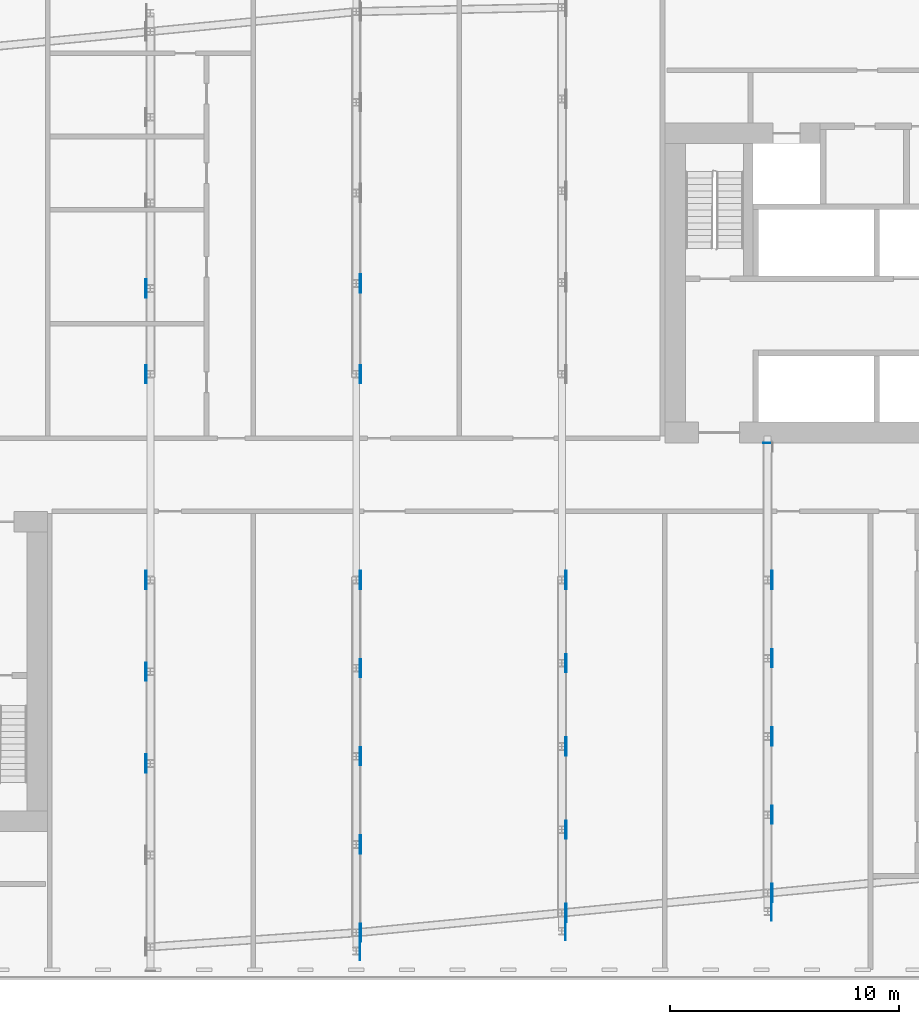
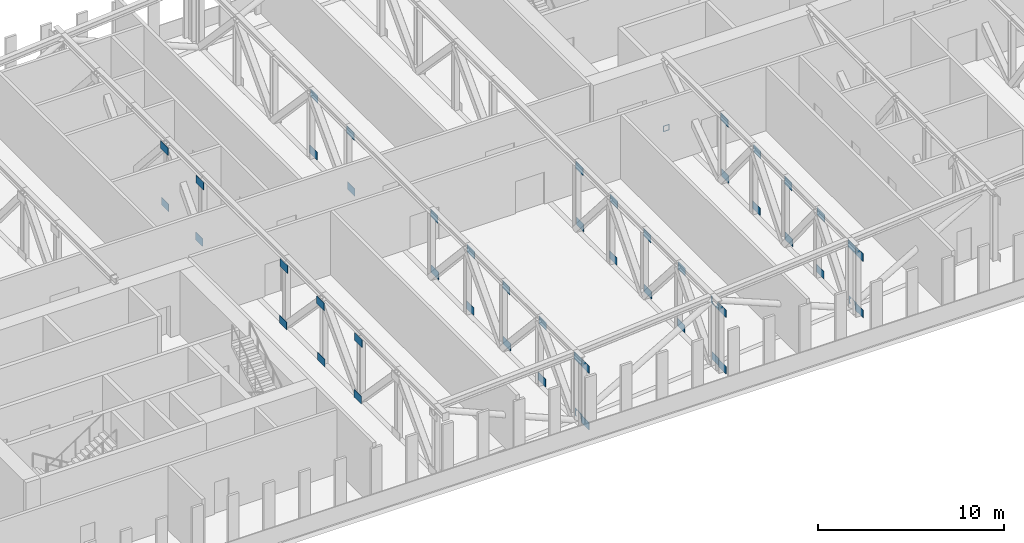
# One storey, part 12 of 22: 51 discrete accessories.
"""IFC4 building model written with IfcOpenShell, lengths in metres."""

from ifc_helpers import new_model, si_unit, direction, frame, origin, place, context, subcontext, project, spatial, polyline, outline, extrude, material, layer, layer_set, type_object, element, save


model = new_model("IFC4")

# Units and contexts
model_context = context("Model", 3, precision=1e-05, world=origin(), true_north=direction((0.0, 1.0)))
body_context = subcontext(model_context, "Body", "Model", "MODEL_VIEW")
ifc_project = project(units=[si_unit("LENGTHUNIT", "METRE"), si_unit("AREAUNIT", "SQUARE_METRE"), si_unit("VOLUMEUNIT", "CUBIC_METRE"), si_unit("PLANEANGLEUNIT", "RADIAN"), si_unit("MASSUNIT", "GRAM", prefix="KILO")], contexts=[model_context])

# Site, building, storey
site_placement = place(None, origin())
site = spatial("IfcSite", under=ifc_project, at=site_placement, CompositionType="ELEMENT")
building_placement = place(site_placement, origin())
building = spatial("IfcBuilding", under=site, at=building_placement, Name="Kajstack Hotel Tower", CompositionType="ELEMENT")
storey_placement = place(building_placement, frame((0.0, 0.0, 99.60009765625)))
storey = spatial("IfcBuildingStorey", under=building, at=storey_placement, Name="L21", CompositionType="ELEMENT", Elevation=99.60009765625)

# Discrete accessories
ifc_material = material(Name="Steel S355J2", Category="steel")
ifc_layer_1 = layer(ifc_material, 0.02490234375)
ifc_layer_set_1 = layer_set([ifc_layer_1], Name="CAST-IN PLATE")
discrete_accessory_type_1 = type_object("IfcDiscreteAccessoryType", Name="CAST-IN PLATE", PredefinedType="BRACKET", material=ifc_layer_set_1)
discrete_accessory_1_placement = place(storey_placement, frame((18.0, 1.47509765625, -0.150146484375), z_axis=(0.0, 1.0, 0.0), x_axis=(-1.0, 0.0, 0.0)))
element("IfcDiscreteAccessory", 1, at=discrete_accessory_1_placement, inside=storey, type_object=discrete_accessory_type_1, Name="Cast-in plate L21-007", PredefinedType="BRACKET", context=body_context, shape_type="SweptSolid", body=[
    extrude(outline(polyline([(-0.199951171875, -0.199951171875), (0.199951171875, -0.199951171875), (0.199951171875, 0.199951171875), (-0.199951171875, 0.199951171875), (-0.199951171875, -0.199951171875)]), holes=[polyline([(-0.14990234375, -0.14990234375), (-0.14990234375, 0.14990234375), (0.14990234375, 0.14990234375), (0.14990234375, -0.14990234375), (-0.14990234375, -0.14990234375)])]), origin(), (0.0, 0.0, 1.0), 0.02490234375),
])
ifc_layer_2 = layer(ifc_material, 0.02001953125)
ifc_layer_set_2 = layer_set([ifc_layer_2], Name="GUSSET PLATE")
discrete_accessory_type_2 = type_object("IfcDiscreteAccessoryType", Name="GUSSET PLATE", PredefinedType="BRACKET", material=ifc_layer_set_2)
for number, where, z_axis, x_axis, name in (
    (2, (-9.219970703125, -12.52490234375, 0.0), (1.0, 0.0, 0.0), (0.0, 1.0, 0.0), "Gusset plate L21-191"),
    (3, (-9.175048828125, -12.52490234375, 3.699951171875), (1.0, 0.0, 0.0), (0.0, 1.0, 0.0), "Gusset plate L21-192"),
    (4, (-9.175048828125, -8.512451171875, 0.0), (1.0, 0.0, 0.0), (0.0, 1.0, 0.0), "Gusset plate L21-193"),
    (5, (-9.219970703125, -8.512451171875, 3.699951171875), (1.0, 0.0, 0.0), (0.0, 1.0, 0.0), "Gusset plate L21-194"),
    (6, (-9.219970703125, -4.5, 0.0), (1.0, 0.0, 0.0), (0.0, 1.0, 0.0), "Gusset plate L21-195"),
    (7, (-9.175048828125, -4.5, 3.699951171875), (1.0, 0.0, 0.0), (0.0, 1.0, 0.0), "Gusset plate L21-196"),
    (8, (-9.219970703125, 4.5, 0.0), (1.0, 0.0, 0.0), (0.0, 1.0, 0.0), "Gusset plate L21-197"),
    (9, (-9.175048828125, 4.5, 3.699951171875), (1.0, 0.0, 0.0), (0.0, 1.0, 0.0), "Gusset plate L21-198"),
    (10, (-9.175048828125, 8.248779296875, 0.0), (1.0, 0.0, 0.0), (0.0, 1.0, 0.0), "Gusset plate L21-199"),
    (11, (-9.219970703125, 8.248779296875, 3.699951171875), (1.0, 0.0, 0.0), (0.0, 1.0, 0.0), "Gusset plate L21-200"),
    (12, (0.155029296875, -20.732421875, 0.0), (1.0, 0.0, 0.0), (0.0, 1.0, 0.0), "Gusset plate L21-209"),
    (13, (0.155029296875, -20.732421875, 3.699951171875), (1.0, 0.0, 0.0), (0.0, 1.0, 0.0), "Gusset plate L21-210"),
):
    element("IfcDiscreteAccessory", number, at=place(storey_placement, frame(where, z_axis=z_axis, x_axis=x_axis)), inside=storey, type_object=discrete_accessory_type_2, Name=name, PredefinedType="BRACKET", context=body_context, shape_type="SweptSolid", body=[
        extrude(outline(polyline([(-0.39990234375, 0.0), (0.39990234375, 0.0), (0.39990234375, 0.5), (-0.39990234375, 0.5), (-0.39990234375, 0.0)])), origin(), (0.0, 0.0, 1.0), 0.02001953125),
    ])
discrete_accessory_2_placement = place(storey_placement, frame((0.199951171875, -19.9326171875, 0.0), z_axis=(1.0, 0.0, 0.0), x_axis=(0.0, 1.0, 0.0)))
element("IfcDiscreteAccessory", 14, at=discrete_accessory_2_placement, inside=storey, type_object=discrete_accessory_type_2, Name="Gusset plate L21-211", PredefinedType="BRACKET", context=body_context, shape_type="SweptSolid", body=[
    extrude(outline(polyline([(-0.39990234375, 0.0), (-0.265869140625, 0.0), (-0.2646484375, 0.007568359375), (-0.265625, 0.04443359375), (-0.26318359375, 0.070068359375), (-0.258056640625, 0.09521484375), (-0.250732421875, 0.11962890625), (-0.2353515625, 0.1533203125), (-0.209228515625, 0.2802734375), (-0.202880859375, 0.30517578125), (-0.194091796875, 0.329345703125), (-0.182861328125, 0.3525390625), (-0.169677734375, 0.374267578125), (-0.154052734375, 0.394775390625), (-0.13671875, 0.413818359375), (-0.11767578125, 0.430908203125), (-0.096923828125, 0.446044921875), (-0.074951171875, 0.458984375), (-0.051513671875, 0.469970703125), (-0.02734375, 0.478271484375), (-0.00244140625, 0.484375), (0.02294921875, 0.488037109375), (0.048583984375, 0.489013671875), (0.07421875, 0.48779296875), (0.099609375, 0.483642578125), (0.12451171875, 0.477294921875), (0.1484375, 0.468505859375), (0.171630859375, 0.45751953125), (0.193603515625, 0.444091796875), (0.214111328125, 0.4287109375), (0.23291015625, 0.411376953125), (0.25, 0.39208984375), (0.26513671875, 0.37158203125), (0.2783203125, 0.349365234375), (0.2890625, 0.326171875), (0.297607421875, 0.302001953125), (0.3037109375, 0.27685546875), (0.30712890625, 0.25146484375), (0.308349609375, 0.225830078125), (0.306884765625, 0.2001953125), (0.302978515625, 0.175048828125), (0.266845703125, 0.0), (0.39990234375, 0.0), (0.39990234375, 0.5), (-0.39990234375, 0.5), (-0.39990234375, 0.0)])), origin(), (0.0, 0.0, 1.0), 0.02001953125),
])
for number, where, z_axis, x_axis, name in (
    (15, (0.155029296875, -19.9326171875, 3.699951171875), (1.0, 0.0, 0.0), (0.0, 1.0, 0.0), "Gusset plate L21-212"),
    (16, (0.155029296875, -16.074462890625, 0.0), (1.0, 0.0, 0.0), (0.0, 1.0, 0.0), "Gusset plate L21-213"),
    (17, (0.199951171875, -16.074462890625, 3.699951171875), (1.0, 0.0, 0.0), (0.0, 1.0, 0.0), "Gusset plate L21-214"),
    (18, (0.199951171875, -12.21630859375, 0.0), (1.0, 0.0, 0.0), (0.0, 1.0, 0.0), "Gusset plate L21-215"),
    (19, (0.155029296875, -12.21630859375, 3.699951171875), (1.0, 0.0, 0.0), (0.0, 1.0, 0.0), "Gusset plate L21-216"),
    (20, (0.155029296875, -8.358154296875, 0.0), (1.0, 0.0, 0.0), (0.0, 1.0, 0.0), "Gusset plate L21-217"),
    (21, (0.199951171875, -8.358154296875, 3.699951171875), (1.0, 0.0, 0.0), (0.0, 1.0, 0.0), "Gusset plate L21-218"),
    (22, (0.199951171875, -4.5, 0.0), (1.0, 0.0, 0.0), (0.0, 1.0, 0.0), "Gusset plate L21-219"),
    (23, (0.155029296875, -4.5, 3.699951171875), (1.0, 0.0, 0.0), (0.0, 1.0, 0.0), "Gusset plate L21-220"),
    (24, (0.199951171875, 4.5, 0.0), (1.0, 0.0, 0.0), (0.0, 1.0, 0.0), "Gusset plate L21-221"),
    (25, (0.155029296875, 4.5, 3.699951171875), (1.0, 0.0, 0.0), (0.0, 1.0, 0.0), "Gusset plate L21-222"),
    (26, (0.155029296875, 8.465576171875, 0.0), (1.0, 0.0, 0.0), (0.0, 1.0, 0.0), "Gusset plate L21-223"),
    (27, (0.199951171875, 8.465576171875, 3.699951171875), (1.0, 0.0, 0.0), (0.0, 1.0, 0.0), "Gusset plate L21-224"),
    (28, (9.155029296875, -19.865966796875, 0.0), (1.0, 0.0, 0.0), (0.0, 1.0, 0.0), "Gusset plate L21-233"),
    (29, (9.155029296875, -19.865966796875, 3.699951171875), (1.0, 0.0, 0.0), (0.0, 1.0, 0.0), "Gusset plate L21-234"),
    (30, (9.199951171875, -19.06591796875, 0.0), (1.0, 0.0, 0.0), (0.0, 1.0, 0.0), "Gusset plate L21-235"),
):
    element("IfcDiscreteAccessory", number, at=place(storey_placement, frame(where, z_axis=z_axis, x_axis=x_axis)), inside=storey, type_object=discrete_accessory_type_2, Name=name, PredefinedType="BRACKET", context=body_context, shape_type="SweptSolid", body=[
        extrude(outline(polyline([(-0.39990234375, 0.0), (0.39990234375, 0.0), (0.39990234375, 0.5), (-0.39990234375, 0.5), (-0.39990234375, 0.0)])), origin(), (0.0, 0.0, 1.0), 0.02001953125),
    ])
discrete_accessory_3_placement = place(storey_placement, frame((9.155029296875, -19.06591796875, 3.699951171875), z_axis=(1.0, 0.0, 0.0), x_axis=(0.0, 1.0, 0.0)))
element("IfcDiscreteAccessory", 31, at=discrete_accessory_3_placement, inside=storey, type_object=discrete_accessory_type_2, Name="Gusset plate L21-236", PredefinedType="BRACKET", context=body_context, shape_type="SweptSolid", body=[
    extrude(outline(polyline([(0.39990234375, 0.5), (0.26904296875, 0.5), (0.298583984375, 0.356201171875), (0.302490234375, 0.330810546875), (0.303955078125, 0.30517578125), (0.302978515625, 0.279541015625), (0.29931640625, 0.254150390625), (0.293212890625, 0.229248046875), (0.28466796875, 0.204833984375), (0.27392578125, 0.181640625), (0.260986328125, 0.15966796875), (0.245849609375, 0.138916015625), (0.228759765625, 0.11962890625), (0.209716796875, 0.102294921875), (0.189208984375, 0.0869140625), (0.167236328125, 0.07373046875), (0.144287109375, 0.0625), (0.1201171875, 0.0537109375), (0.09521484375, 0.04736328125), (0.06982421875, 0.04345703125), (0.044189453125, 0.0419921875), (0.0185546875, 0.04296875), (-0.0068359375, 0.046630859375), (-0.03173828125, 0.052734375), (-0.055908203125, 0.061279296875), (-0.0791015625, 0.072021484375), (-0.101318359375, 0.0849609375), (-0.1220703125, 0.10009765625), (-0.14111328125, 0.1171875), (-0.158447265625, 0.13623046875), (-0.173828125, 0.15673828125), (-0.187255859375, 0.1787109375), (-0.1982421875, 0.20166015625), (-0.207275390625, 0.225830078125), (-0.2255859375, 0.30908203125), (-0.2421875, 0.3359375), (-0.2529296875, 0.359375), (-0.261474609375, 0.383544921875), (-0.267578125, 0.408447265625), (-0.271240234375, 0.433837890625), (-0.272216796875, 0.45947265625), (-0.2685546875, 0.5), (-0.39990234375, 0.5), (-0.39990234375, 0.0), (0.39990234375, 0.0), (0.39990234375, 0.5)])), origin(), (0.0, 0.0, 1.0), 0.02001953125),
])
for number, where, z_axis, x_axis, name in (
    (32, (9.155029296875, -15.42431640625, 0.0), (1.0, 0.0, 0.0), (0.0, 1.0, 0.0), "Gusset plate L21-237"),
    (33, (9.199951171875, -15.42431640625, 3.699951171875), (1.0, 0.0, 0.0), (0.0, 1.0, 0.0), "Gusset plate L21-238"),
    (34, (9.199951171875, -11.782958984375, 0.0), (1.0, 0.0, 0.0), (0.0, 1.0, 0.0), "Gusset plate L21-239"),
    (35, (9.155029296875, -11.782958984375, 3.699951171875), (1.0, 0.0, 0.0), (0.0, 1.0, 0.0), "Gusset plate L21-240"),
    (36, (9.155029296875, -8.1416015625, 0.0), (1.0, 0.0, 0.0), (0.0, 1.0, 0.0), "Gusset plate L21-241"),
    (37, (9.199951171875, -8.1416015625, 3.699951171875), (1.0, 0.0, 0.0), (0.0, 1.0, 0.0), "Gusset plate L21-242"),
    (38, (9.199951171875, -4.5, 0.0), (1.0, 0.0, 0.0), (0.0, 1.0, 0.0), "Gusset plate L21-243"),
    (39, (9.155029296875, -4.5, 3.699951171875), (1.0, 0.0, 0.0), (0.0, 1.0, 0.0), "Gusset plate L21-244"),
    (40, (18.155029296875, -18.999267578125, 0.0), (1.0, 0.0, 0.0), (0.0, 1.0, 0.0), "Gusset plate L21-257"),
    (41, (18.155029296875, -18.999267578125, 3.699951171875), (1.0, 0.0, 0.0), (0.0, 1.0, 0.0), "Gusset plate L21-258"),
):
    element("IfcDiscreteAccessory", number, at=place(storey_placement, frame(where, z_axis=z_axis, x_axis=x_axis)), inside=storey, type_object=discrete_accessory_type_2, Name=name, PredefinedType="BRACKET", context=body_context, shape_type="SweptSolid", body=[
        extrude(outline(polyline([(-0.39990234375, 0.0), (0.39990234375, 0.0), (0.39990234375, 0.5), (-0.39990234375, 0.5), (-0.39990234375, 0.0)])), origin(), (0.0, 0.0, 1.0), 0.02001953125),
    ])
discrete_accessory_4_placement = place(storey_placement, frame((18.199951171875, -18.19921875, 0.0), z_axis=(1.0, 0.0, 0.0), x_axis=(0.0, 1.0, 0.0)))
element("IfcDiscreteAccessory", 42, at=discrete_accessory_4_placement, inside=storey, type_object=discrete_accessory_type_2, Name="Gusset plate L21-259", PredefinedType="BRACKET", context=body_context, shape_type="SweptSolid", body=[
    extrude(outline(polyline([(-0.39990234375, 0.0), (-0.265869140625, 0.0), (-0.267822265625, 0.029541015625), (-0.266845703125, 0.05517578125), (-0.26318359375, 0.08056640625), (-0.257080078125, 0.10546875), (-0.24853515625, 0.129638671875), (-0.234130859375, 0.158935546875), (-0.209228515625, 0.2802734375), (-0.202880859375, 0.30517578125), (-0.194091796875, 0.329345703125), (-0.182861328125, 0.3525390625), (-0.169677734375, 0.374267578125), (-0.154052734375, 0.394775390625), (-0.13671875, 0.413818359375), (-0.11767578125, 0.430908203125), (-0.096923828125, 0.446044921875), (-0.074951171875, 0.458984375), (-0.051513671875, 0.469970703125), (-0.02734375, 0.478271484375), (-0.00244140625, 0.484375), (0.02294921875, 0.488037109375), (0.048583984375, 0.489013671875), (0.07421875, 0.48779296875), (0.099609375, 0.483642578125), (0.12451171875, 0.477294921875), (0.1484375, 0.468505859375), (0.171630859375, 0.45751953125), (0.193603515625, 0.444091796875), (0.214111328125, 0.4287109375), (0.23291015625, 0.411376953125), (0.25, 0.39208984375), (0.26513671875, 0.37158203125), (0.2783203125, 0.349365234375), (0.2890625, 0.326171875), (0.297607421875, 0.302001953125), (0.3037109375, 0.27685546875), (0.30712890625, 0.25146484375), (0.308349609375, 0.225830078125), (0.306884765625, 0.2001953125), (0.302978515625, 0.175048828125), (0.266845703125, 0.0), (0.39990234375, 0.0), (0.39990234375, 0.5), (-0.39990234375, 0.5), (-0.39990234375, 0.0)])), origin(), (0.0, 0.0, 1.0), 0.02001953125),
])
for number, where, z_axis, x_axis, name in (
    (43, (18.155029296875, -18.19921875, 3.699951171875), (1.0, 0.0, 0.0), (0.0, 1.0, 0.0), "Gusset plate L21-260"),
    (44, (18.155029296875, -14.7744140625, 0.0), (1.0, 0.0, 0.0), (0.0, 1.0, 0.0), "Gusset plate L21-261"),
    (45, (18.199951171875, -14.7744140625, 3.699951171875), (1.0, 0.0, 0.0), (0.0, 1.0, 0.0), "Gusset plate L21-262"),
    (46, (18.199951171875, -11.349609375, 0.0), (1.0, 0.0, 0.0), (0.0, 1.0, 0.0), "Gusset plate L21-263"),
    (47, (18.155029296875, -11.349609375, 3.699951171875), (1.0, 0.0, 0.0), (0.0, 1.0, 0.0), "Gusset plate L21-264"),
    (48, (18.155029296875, -7.9248046875, 0.0), (1.0, 0.0, 0.0), (0.0, 1.0, 0.0), "Gusset plate L21-265"),
    (49, (18.199951171875, -7.9248046875, 3.699951171875), (1.0, 0.0, 0.0), (0.0, 1.0, 0.0), "Gusset plate L21-266"),
    (50, (18.199951171875, -4.5, 0.0), (1.0, 0.0, 0.0), (0.0, 1.0, 0.0), "Gusset plate L21-267"),
    (51, (18.155029296875, -4.5, 3.699951171875), (1.0, 0.0, 0.0), (0.0, 1.0, 0.0), "Gusset plate L21-268"),
):
    element("IfcDiscreteAccessory", number, at=place(storey_placement, frame(where, z_axis=z_axis, x_axis=x_axis)), inside=storey, type_object=discrete_accessory_type_2, Name=name, PredefinedType="BRACKET", context=body_context, shape_type="SweptSolid", body=[
        extrude(outline(polyline([(-0.39990234375, 0.0), (0.39990234375, 0.0), (0.39990234375, 0.5), (-0.39990234375, 0.5), (-0.39990234375, 0.0)])), origin(), (0.0, 0.0, 1.0), 0.02001953125),
    ])

save(model, "model.ifc")
